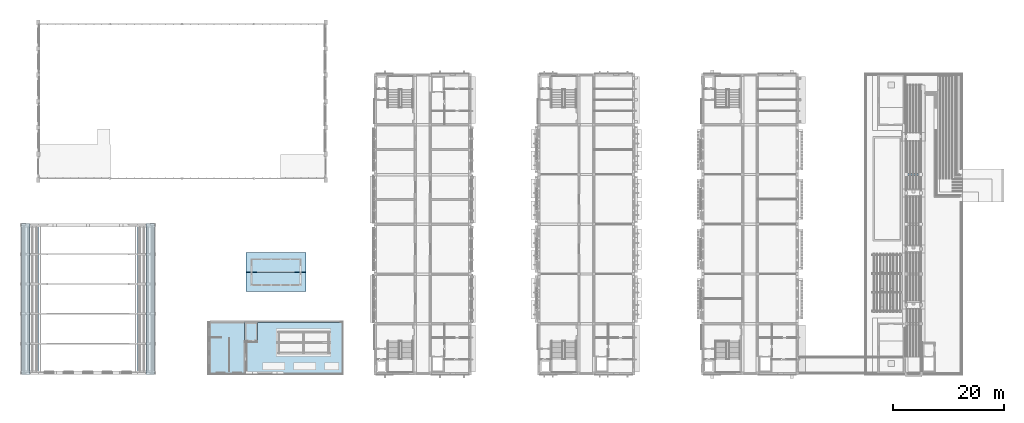
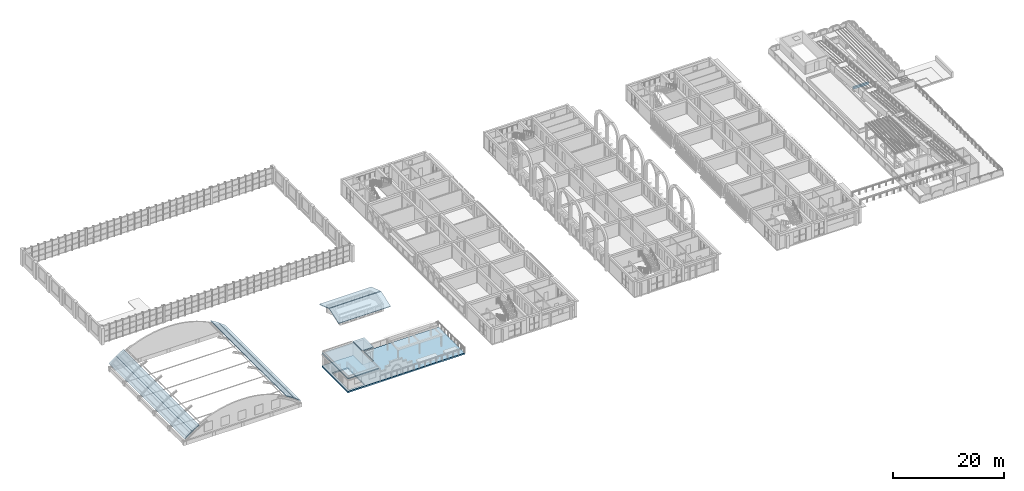
# One storey, part 26 of 70: 9 slabs, 1 beam.
"""IFC4 building model written with IfcOpenShell, lengths in metres."""

from ifc_helpers import new_model, si_unit, direction, frame, origin, place, context, subcontext, project, spatial, polyline, outline, extrude, material, layer, layer_set, material_profile, profile_set, type_object, element, save


model = new_model("IFC4")

# Units and contexts
model_context = context("Model", 3, precision=1e-05, world=origin(), true_north=direction((0.0, 1.0)))
body_context = subcontext(model_context, "Body", "Model", "MODEL_VIEW")
ifc_project = project(units=[si_unit("LENGTHUNIT", "METRE"), si_unit("AREAUNIT", "SQUARE_METRE"), si_unit("VOLUMEUNIT", "CUBIC_METRE"), si_unit("PLANEANGLEUNIT", "RADIAN"), si_unit("MASSUNIT", "GRAM", prefix="KILO")], contexts=[model_context])

# Site, building, storey
site_placement = place(None, origin())
site = spatial("IfcSite", under=ifc_project, at=site_placement, CompositionType="ELEMENT")
building_placement = place(site_placement, origin())
building = spatial("IfcBuilding", under=site, at=building_placement, Name="Elbe Cascade School", CompositionType="ELEMENT")
storey_placement = place(building_placement, frame((0.0, 0.0, 8.10009765625)))
storey = spatial("IfcBuildingStorey", under=building, at=storey_placement, Name="L02", CompositionType="ELEMENT", Elevation=8.10009765625)

# Beam
ifc_material_1 = material(Name="Concrete C30/37", Category="concrete")
ifc_material_profile = material_profile(ifc_material_1, outline(polyline([(-0.199951171875, 0.0), (0.199951171875, 0.0), (0.199951171875, 0.433349609375), (-0.199951171875, 0.466552734375), (-0.199951171875, 0.0)])), Name="RC cross-beam 400x450 sloped top")
ifc_profile_set = profile_set([ifc_material_profile], Name="Concrete C30/37")
beam_type = type_object("IfcBeamType", Name="RC 400x450 sloped cross-beam", PredefinedType="BEAM", material=ifc_profile_set)
beam_placement = place(storey_placement, frame((164.75, 42.0, 0.534912109375), z_axis=(1.0, 0.0, 0.0), x_axis=(0.0, 1.0, 0.0)))
element("IfcBeam", 1, at=beam_placement, inside=storey, type_object=beam_type, Name="RC 400x450 sloped cross-beam B25", PredefinedType="BEAM", context=body_context, shape_type="SweptSolid", body=[
    extrude(outline(polyline([(-0.199951171875, 0.0), (0.199951171875, 0.0), (0.199951171875, 0.433349609375), (-0.199951171875, 0.466552734375), (-0.199951171875, 0.0)])), origin(), (0.0, 0.0, 1.0), 3.199951171875),
])

# Slabs
ifc_material_2 = material(Name="Steel S350GD+Z profiled roof deck", Category="steel")
ifc_layer_1 = layer(ifc_material_2, 0.14990234375)
ifc_layer_set_1 = layer_set([ifc_layer_1], Name="Steel S350GD+Z profiled roof deck")
slab_type_1 = type_object("IfcSlabType", Name="Assembly hall roof deck 150", PredefinedType="ROOF", material=ifc_layer_set_1)
slab_1_placement = place(storey_placement, frame((4.929443359375, 5.85009765625, 1.4970703125), z_axis=(-0.605284877628, 0.0, 0.796008930173), x_axis=(0.796008930173, 0.0, 0.605284877628)))
element("IfcSlab", 2, at=slab_1_placement, inside=storey, type_object=slab_type_1, Name="Assembly hall roof deck 150 S18", PredefinedType="ROOF", context=body_context, shape_type="SweptSolid", body=[
    extrude(outline(polyline([(0.0, 0.0), (1.8727461461088781, 0.0), (1.8727461461088781, 27.2998046875), (0.0, 27.2998046875), (0.0, 0.0)])), origin(), (0.0, 0.0, -1.0), 0.14990234375),
])
slab_2_placement = place(storey_placement, frame((6.420166015625, 5.85009765625, 2.630615234375), z_axis=(-0.524412003224, 0.0, 0.851464650396), x_axis=(0.851464650396, 0.0, 0.524412003224)))
element("IfcSlab", 3, at=slab_2_placement, inside=storey, type_object=slab_type_1, Name="Assembly hall roof deck 150 S18", PredefinedType="ROOF", context=body_context, shape_type="SweptSolid", body=[
    extrude(outline(polyline([(0.0, 0.0), (1.775146635472891, 0.0), (1.775146635472891, 27.2998046875), (0.0, 27.2998046875), (0.0, 0.0)])), origin(), (0.0, 0.0, -1.0), 0.14990234375),
])
slab_3_placement = place(storey_placement, frame((26.068603515625, 5.85009765625, 3.5615234375), z_axis=(0.524473419896, 0.0, 0.851426821179), x_axis=(0.851426821179, 0.0, -0.524473419896)))
element("IfcSlab", 4, at=slab_3_placement, inside=storey, type_object=slab_type_1, Name="Assembly hall roof deck 150 S18", PredefinedType="ROOF", context=body_context, shape_type="SweptSolid", body=[
    extrude(outline(polyline([(0.0, 0.0), (1.774938762978532, 0.0), (1.774938762978532, 27.299804687500007), (0.0, 27.299804687500007), (0.0, 0.0)])), origin(), (0.0, 0.0, -1.0), 0.14990234375),
])
slab_4_placement = place(storey_placement, frame((27.579833984375, 5.85009765625, 2.630615234375), z_axis=(0.605284877628, 0.0, 0.796008930173), x_axis=(0.796008930173, 0.0, -0.605284877628)))
element("IfcSlab", 5, at=slab_4_placement, inside=storey, type_object=slab_type_1, Name="Assembly hall roof deck 150 S18", PredefinedType="ROOF", context=body_context, shape_type="SweptSolid", body=[
    extrude(outline(polyline([(0.0, 0.0), (1.8727461461088781, 0.0), (1.8727461461088781, 27.2998046875), (0.0, 27.2998046875), (0.0, 0.0)])), origin(), (0.0, 0.0, -1.0), 0.14990234375),
])
ifc_material_3 = material(Name="Concrete C30/37", Category="concrete")
ifc_layer_2 = layer(ifc_material_3, 0.25)
ifc_layer_set_2 = layer_set([ifc_layer_2], Name="Concrete C30/37")
slab_type_2 = type_object("IfcSlabType", Name="Cafe head-house roof slab 250", PredefinedType="ROOF", material=ifc_layer_set_2)
slab_5_placement = place(storey_placement, frame((0.0, 0.0, 2.599853515625)))
element("IfcSlab", 6, at=slab_5_placement, inside=storey, type_object=slab_type_2, Name="Head-house roof slab", PredefinedType="ROOF", context=body_context, shape_type="SweptSolid", body=[
    extrude(outline(polyline([(45.35009765625, 5.97509765625), (45.35009765625, 15.25), (38.925048828125, 15.25), (38.925048828125, 5.97509765625), (45.35009765625, 5.97509765625)])), origin(), (0.0, 0.0, 1.0), 0.25),
])
ifc_material_4 = material(Name="Concrete C30/37", Category="concrete")
ifc_layer_3 = layer(ifc_material_4, 0.25)
ifc_layer_set_3 = layer_set([ifc_layer_3], Name="Concrete C30/37")
slab_type_3 = type_object("IfcSlabType", Name="Cafe lift overrun roof slab 250", PredefinedType="ROOF", material=ifc_layer_set_3)
slab_6_placement = place(storey_placement, frame((0.0, 0.0, 2.849853515625)))
element("IfcSlab", 7, at=slab_6_placement, inside=storey, type_object=slab_type_3, Name="Cafe lift overrun roof slab 250 S24", PredefinedType="ROOF", context=body_context, shape_type="SweptSolid", body=[
    extrude(outline(polyline([(47.64990234375, 11.85009765625), (47.64990234375, 15.25), (45.35009765625, 15.25), (45.35009765625, 11.85009765625), (47.64990234375, 11.85009765625)])), origin(), (0.0, 0.0, 1.0), 0.25),
])
ifc_material_5 = material(Name="Concrete C30/37", Category="concrete")
ifc_layer_4 = layer(ifc_material_5, 0.300048828125)
ifc_layer_set_4 = layer_set([ifc_layer_4], Name="Concrete C30/37")
slab_type_4 = type_object("IfcSlabType", Name="Cafe wing terrace slab 300", PredefinedType="ROOF", material=ifc_layer_set_4)
slab_7_placement = place(storey_placement, frame((0.0, 0.0, -0.300048828125)))
element("IfcSlab", 8, at=slab_7_placement, inside=storey, type_object=slab_type_4, Name="Public roof terrace slab", PredefinedType="ROOF", context=body_context, shape_type="SweptSolid", body=[
    extrude(outline(polyline([(63.14990234375, 15.25), (63.14990234375, 5.85009765625), (38.85009765625, 5.85009765625), (38.85009765625, 15.25), (45.35009765625, 15.25), (45.35009765625, 11.85009765625), (47.64990234375, 11.85009765625), (47.64990234375, 15.25), (63.14990234375, 15.25)]), holes=[polyline([(42.60009765625, 6.35009765625), (42.60009765625, 12.3798828125), (39.300048828125, 12.3798828125), (39.300048828125, 6.35009765625), (42.60009765625, 6.35009765625)])]), origin(), (0.0, 0.0, 1.0), 0.300048828125),
])
ifc_material_6 = material(Name="Steel S350GD+Z profiled roof deck", Category="steel")
ifc_layer_5 = layer(ifc_material_6, 0.14990234375)
ifc_layer_set_5 = layer_set([ifc_layer_5], Name="Steel S350GD+Z profiled roof deck")
slab_type_5 = type_object("IfcSlabType", Name="Dining lantern roof deck 150", PredefinedType="ROOF", material=ifc_layer_set_5)
slab_8_placement = place(storey_placement, frame((45.60009765625, 20.85009765625, 3.535888671875), z_axis=(0.0, -0.322616593719, 0.946529731946), x_axis=(1.0, 0.0, 0.0)))
element("IfcSlab", 9, at=slab_8_placement, inside=storey, type_object=slab_type_5, Name="Dining lantern roof deck 150 S27", PredefinedType="ROOF", context=body_context, shape_type="SweptSolid", body=[
    extrude(outline(polyline([(0.0, 0.0), (10.7998046875, 0.0), (10.7998046875, 3.641488721822474), (0.0, 3.641488721822474), (0.0, 0.0)])), origin(), (0.0, 0.0, -1.0), 0.14990234375),
])
slab_9_placement = place(storey_placement, frame((45.60009765625, 27.85009765625, 3.535888671875), z_axis=(0.0, 0.322596121916, 0.946536709338), x_axis=(1.0, 0.0, 0.0)))
element("IfcSlab", 10, at=slab_9_placement, inside=storey, type_object=slab_type_5, Name="Dining lantern roof deck 150 S27", PredefinedType="ROOF", context=body_context, shape_type="SweptSolid", body=[
    extrude(outline(polyline([(0.0, 0.0), (10.7998046875, 0.0), (10.7998046875, -3.6417198090345724), (0.0, -3.6417198090345724), (0.0, 0.0)])), origin(), (0.0, 0.0, -1.0), 0.14990234375),
])

save(model, "model.ifc")
